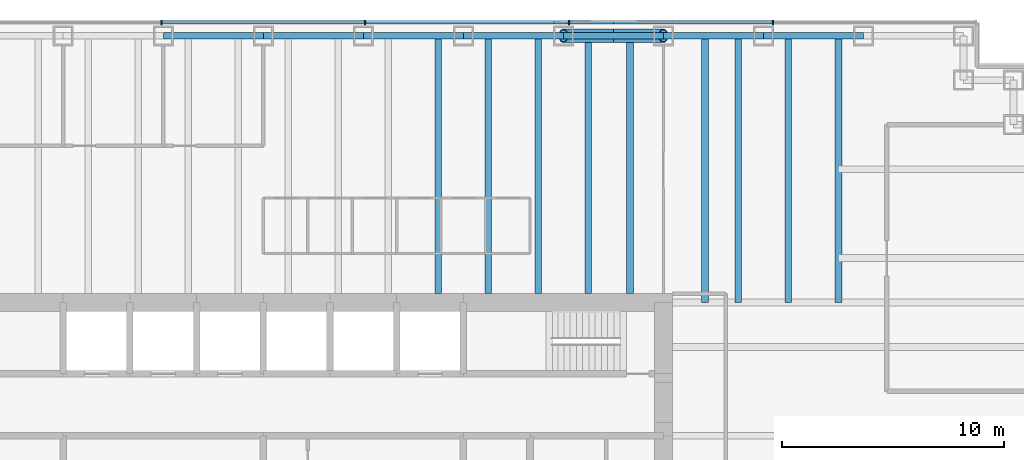
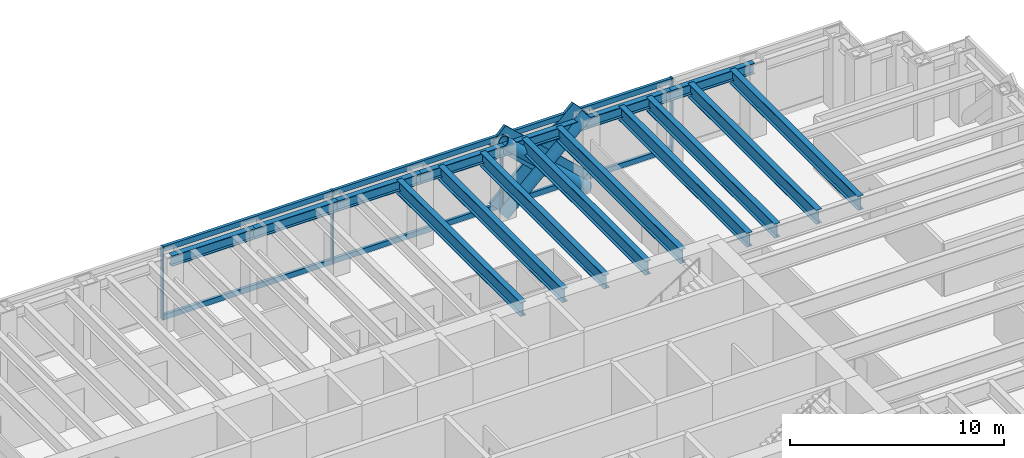
# One storey, part 6 of 15: 16 beams, 14 members, 1 element without a shape of its own.
"""IFC4 building model written with IfcOpenShell, lengths in metres."""

from ifc_helpers import new_model, si_unit, direction, frame, origin, origin_2d, place, context, subcontext, project, spatial, rectangle, hollow_circle, i_section, extrude, material, material_profile, profile_set, type_object, element, aggregate, save


model = new_model("IFC4")

# Units and contexts
model_context = context("Model", 3, precision=1e-05, world=origin(), true_north=direction((0.0, 1.0)))
body_context = subcontext(model_context, "Body", "Model", "MODEL_VIEW")
ifc_project = project(units=[si_unit("LENGTHUNIT", "METRE"), si_unit("AREAUNIT", "SQUARE_METRE"), si_unit("VOLUMEUNIT", "CUBIC_METRE"), si_unit("PLANEANGLEUNIT", "RADIAN"), si_unit("MASSUNIT", "GRAM", prefix="KILO")], contexts=[model_context])

# Site, building, storey
site_placement = place(None, origin())
site = spatial("IfcSite", under=ifc_project, at=site_placement, CompositionType="ELEMENT")
building_placement = place(site_placement, origin())
building = spatial("IfcBuilding", under=site, at=building_placement, Name="Rheinbord Bourse Tower", CompositionType="ELEMENT")
storey_placement = place(building_placement, frame((0.0, 0.0, 257.199951171875)))
storey = spatial("IfcBuildingStorey", under=building, at=storey_placement, Name="L58", CompositionType="ELEMENT", Elevation=257.199951171875)

# Curtain wall, members
ifc_material_1 = material(Name="Dark glass and black aluminium", Category="aluminium")
curtain_wall_type = type_object("IfcCurtainWallType", Name="CW2 DARK GLASS CURTAIN WALL", PredefinedType="USERDEFINED", material=ifc_material_1)
curtain_wall_placement = place(storey_placement, origin())
curtain_wall = element("IfcCurtainWall", 1, at=curtain_wall_placement, inside=storey, type_object=curtain_wall_type, Name="Curtain wall CW2 N L58", ObjectType="UNITISED CURTAIN WALL", PredefinedType="USERDEFINED")
ifc_material_2 = material(Name="Black anodised aluminium", Category="aluminium")
ifc_material_profile_1 = material_profile(ifc_material_2, rectangle(XDim=0.159912109375, YDim=1.2099609375, at=origin_2d()), Name="CW2 DIAGONAL MULLION 1210x160")
ifc_profile_set_1 = profile_set([ifc_material_profile_1], Name="Black anodised aluminium")
member_type_1 = type_object("IfcMemberType", Name="CW2 BLACK DIAGONAL MULLION", PredefinedType="USERDEFINED", material=ifc_profile_set_1)
member_1_placement = place(storey_placement, frame((54.0, 44.60009765625, 0.0), z_axis=(-0.73105922506, 0.0, 0.682314010889), x_axis=(0.0, -1.0, 0.0)))
member_1 = element("IfcMember", 2, at=member_1_placement, type_object=member_type_1, Name="CW2 diagonal mullion b", ObjectType="DIAGONAL MULLION", PredefinedType="USERDEFINED", context=body_context, shape_type="SweptSolid", body=[
    extrude(rectangle(XDim=0.159912109375, YDim=1.2099609375, at=origin_2d()), origin(), (0.0, 0.0, 1.0), 6.155517578125),
])
member_2_placement = place(storey_placement, frame((49.5, 44.60009765625, 0.0), z_axis=(0.73105922506, 0.0, 0.682314010889), x_axis=(0.0, 1.0, 0.0)))
member_2 = element("IfcMember", 3, at=member_2_placement, type_object=member_type_1, Name="CW2 diagonal mullion c", ObjectType="DIAGONAL MULLION", PredefinedType="USERDEFINED", context=body_context, shape_type="SweptSolid", body=[
    extrude(rectangle(XDim=0.159912109375, YDim=1.2099609375, at=origin_2d()), origin(), (0.0, 0.0, 1.0), 6.155517578125),
])
ifc_material_3 = material(Name="Black anodised aluminium", Category="aluminium")
ifc_material_profile_2 = material_profile(ifc_material_3, rectangle(XDim=0.219970703125, YDim=0.070068359375, at=origin_2d()), Name="CW2 MULLION 70x220")
ifc_profile_set_2 = profile_set([ifc_material_profile_2], Name="Black anodised aluminium")
member_type_2 = type_object("IfcMemberType", Name="CW2 BLACK MULLION", PredefinedType="MULLION", material=ifc_profile_set_2)
member_3_placement = place(storey_placement, frame((58.928466796875, 44.60009765625, 0.0), z_axis=(0.0, 0.0, 1.0), x_axis=(0.0, -1.0, 0.0)))
member_3 = element("IfcMember", 4, at=member_3_placement, type_object=member_type_2, Name="CW2 mullion 2", PredefinedType="MULLION", context=body_context, shape_type="SweptSolid", body=[
    extrude(rectangle(XDim=0.219970703125, YDim=0.070068359375, at=origin_2d()), origin(), (0.0, 0.0, 1.0), 4.199951171875),
])
member_4_placement = place(storey_placement, frame((49.757080078125, 44.60009765625, 0.0), z_axis=(0.0, 0.0, 1.0), x_axis=(0.0, -1.0, 0.0)))
member_4 = element("IfcMember", 5, at=member_4_placement, type_object=member_type_2, Name="CW2 mullion 3", PredefinedType="MULLION", context=body_context, shape_type="SweptSolid", body=[
    extrude(rectangle(XDim=0.219970703125, YDim=0.070068359375, at=origin_2d()), origin(), (0.0, 0.0, 1.0), 4.199951171875),
])
member_5_placement = place(storey_placement, frame((40.585693359375, 44.60009765625, 0.0), z_axis=(0.0, 0.0, 1.0), x_axis=(0.0, -1.0, 0.0)))
member_5 = element("IfcMember", 6, at=member_5_placement, type_object=member_type_2, Name="CW2 mullion 4", PredefinedType="MULLION", context=body_context, shape_type="SweptSolid", body=[
    extrude(rectangle(XDim=0.219970703125, YDim=0.070068359375, at=origin_2d()), origin(), (0.0, 0.0, 1.0), 4.199951171875),
])
member_6_placement = place(storey_placement, frame((31.414306640625, 44.60009765625, 0.0), z_axis=(0.0, 0.0, 1.0), x_axis=(0.0, -1.0, 0.0)))
member_6 = element("IfcMember", 7, at=member_6_placement, type_object=member_type_2, Name="CW2 mullion 5", PredefinedType="MULLION", context=body_context, shape_type="SweptSolid", body=[
    extrude(rectangle(XDim=0.219970703125, YDim=0.070068359375, at=origin_2d()), origin(), (0.0, 0.0, 1.0), 4.199951171875),
])
ifc_material_4 = material(Name="Black anodised aluminium", Category="aluminium")
ifc_material_profile_3 = material_profile(ifc_material_4, rectangle(XDim=0.159912109375, YDim=0.300048828125, at=origin_2d()), Name="CW2 TRANSOM 300x160")
ifc_profile_set_3 = profile_set([ifc_material_profile_3], Name="Black anodised aluminium")
member_type_3 = type_object("IfcMemberType", Name="CW2 BLACK TRANSOM", PredefinedType="USERDEFINED", material=ifc_profile_set_3)
member_7_placement = place(storey_placement, frame((58.8935546875, 44.60009765625, 0.150146484375), z_axis=(-1.0, 0.0, 0.0), x_axis=(0.0, -1.0, 0.0)))
member_7 = element("IfcMember", 8, at=member_7_placement, type_object=member_type_3, Name="CW2 transom 2.1", ObjectType="TRANSOM", PredefinedType="USERDEFINED", context=body_context, shape_type="SweptSolid", body=[
    extrude(rectangle(XDim=0.159912109375, YDim=0.300048828125, at=origin_2d()), origin(), (0.0, 0.0, 1.0), 9.101318359375),
])
member_8_placement = place(storey_placement, frame((58.8935546875, 44.60009765625, 4.050048828125), z_axis=(-1.0, 0.0, 0.0), x_axis=(0.0, -1.0, 0.0)))
member_8 = element("IfcMember", 9, at=member_8_placement, type_object=member_type_3, Name="CW2 transom 2.2", ObjectType="TRANSOM", PredefinedType="USERDEFINED", context=body_context, shape_type="SweptSolid", body=[
    extrude(rectangle(XDim=0.159912109375, YDim=0.300048828125, at=origin_2d()), origin(), (0.0, 0.0, 1.0), 9.101318359375),
])
member_9_placement = place(storey_placement, frame((49.72216796875, 44.60009765625, 0.150146484375), z_axis=(-1.0, 0.0, 0.0), x_axis=(0.0, -1.0, 0.0)))
member_9 = element("IfcMember", 10, at=member_9_placement, type_object=member_type_3, Name="CW2 transom 3.1", ObjectType="TRANSOM", PredefinedType="USERDEFINED", context=body_context, shape_type="SweptSolid", body=[
    extrude(rectangle(XDim=0.159912109375, YDim=0.300048828125, at=origin_2d()), origin(), (0.0, 0.0, 1.0), 9.1015625),
])
member_10_placement = place(storey_placement, frame((49.72216796875, 44.60009765625, 4.050048828125), z_axis=(-1.0, 0.0, 0.0), x_axis=(0.0, -1.0, 0.0)))
member_10 = element("IfcMember", 11, at=member_10_placement, type_object=member_type_3, Name="CW2 transom 3.2", ObjectType="TRANSOM", PredefinedType="USERDEFINED", context=body_context, shape_type="SweptSolid", body=[
    extrude(rectangle(XDim=0.159912109375, YDim=0.300048828125, at=origin_2d()), origin(), (0.0, 0.0, 1.0), 9.1015625),
])
member_11_placement = place(storey_placement, frame((40.55078125, 44.60009765625, 0.150146484375), z_axis=(-1.0, 0.0, 0.0), x_axis=(0.0, -1.0, 0.0)))
member_11 = element("IfcMember", 12, at=member_11_placement, type_object=member_type_3, Name="CW2 transom 4.1", ObjectType="TRANSOM", PredefinedType="USERDEFINED", context=body_context, shape_type="SweptSolid", body=[
    extrude(rectangle(XDim=0.159912109375, YDim=0.300048828125, at=origin_2d()), origin(), (0.0, 0.0, 1.0), 9.1015625),
])
member_12_placement = place(storey_placement, frame((40.55078125, 44.60009765625, 4.050048828125), z_axis=(-1.0, 0.0, 0.0), x_axis=(0.0, -1.0, 0.0)))
member_12 = element("IfcMember", 13, at=member_12_placement, type_object=member_type_3, Name="CW2 transom 4.2", ObjectType="TRANSOM", PredefinedType="USERDEFINED", context=body_context, shape_type="SweptSolid", body=[
    extrude(rectangle(XDim=0.159912109375, YDim=0.300048828125, at=origin_2d()), origin(), (0.0, 0.0, 1.0), 9.1015625),
])
aggregate(curtain_wall, [member_3, member_4, member_5, member_6, member_7, member_8, member_9, member_10, member_11, member_12, member_1, member_2])

# Beams
ifc_material_5 = material(Name="Steel S460", Category="steel")
ifc_material_profile_4 = material_profile(ifc_material_5, i_section(OverallWidth=0.300048828125, OverallDepth=0.800048828125, WebThickness=0.017578125, FlangeThickness=0.032958984375, at=origin_2d()), Name="HEB 800")
ifc_profile_set_4 = profile_set([ifc_material_profile_4], Name="Steel S460")
beam_type_1 = type_object("IfcBeamType", Name="FLOOR BEAM HEB 800", PredefinedType="BEAM", material=ifc_profile_set_4)
for number, where, z_axis, x_axis, name in (
    (14, (43.875, 44.0, 3.64013671875), (0.0, -1.0, 0.0), (1.0, 0.0, 0.0), "Floor beam N-40.5b L59"),
    (15, (46.125, 44.0, 3.64013671875), (0.0, -1.0, 0.0), (1.0, 0.0, 0.0), "Floor beam N-45a L59"),
    (16, (48.375, 44.0, 3.64013671875), (0.0, -1.0, 0.0), (1.0, 0.0, 0.0), "Floor beam N-45b L59"),
    (17, (50.625, 44.0, 3.64013671875), (0.0, -1.0, 0.0), (1.0, 0.0, 0.0), "Floor beam N-49.5a L59"),
    (18, (52.5, 44.0, 3.64013671875), (0.0, -1.0, 0.0), (1.0, 0.0, 0.0), "Floor beam N-49.5b L59"),
):
    element("IfcBeam", number, at=place(storey_placement, frame(where, z_axis=z_axis, x_axis=x_axis)), inside=storey, type_object=beam_type_1, Name=name, PredefinedType="BEAM", context=body_context, shape_type="SweptSolid", body=[
        extrude(i_section(OverallWidth=0.300048828125, OverallDepth=0.800048828125, WebThickness=0.017578125, FlangeThickness=0.032958984375, at=origin_2d()), origin(), (0.0, 0.0, 1.0), 11.60009765625),
    ])
for number, where, z_axis, x_axis, name in (
    (19, (55.875, 44.0, 3.64013671875), (0.0, -1.0, 0.0), (1.0, 0.0, 0.0), "Floor beam N-54a L59"),
    (20, (57.375, 44.0, 3.64013671875), (0.0, -1.0, 0.0), (1.0, 0.0, 0.0), "Floor beam N-54b L59"),
    (21, (59.625, 44.0, 3.64013671875), (0.0, -1.0, 0.0), (1.0, 0.0, 0.0), "Floor beam N-58.5a L59"),
    (22, (61.875, 44.0, 3.64013671875), (0.0, -1.0, 0.0), (1.0, 0.0, 0.0), "Floor beam N-58.5b L59"),
):
    element("IfcBeam", number, at=place(storey_placement, frame(where, z_axis=z_axis, x_axis=x_axis)), inside=storey, type_object=beam_type_1, Name=name, PredefinedType="BEAM", context=body_context, shape_type="SweptSolid", body=[
        extrude(i_section(OverallWidth=0.300048828125, OverallDepth=0.800048828125, WebThickness=0.017578125, FlangeThickness=0.032958984375, at=origin_2d()), origin(), (0.0, 0.0, 1.0), 12.0),
    ])

# Members
ifc_material_6 = material(Name="Steel S460", Category="steel")
ifc_material_profile_5 = material_profile(ifc_material_6, hollow_circle(Radius=0.304931640625, WallThickness=0.0400390625, at=origin_2d()), Name="CHS 610x40")
ifc_profile_set_5 = profile_set([ifc_material_profile_5], Name="Steel S460")
member_type_4 = type_object("IfcMemberType", Name="MEGABRACE CHS 610x40", PredefinedType="BRACE", material=ifc_profile_set_5)
for number, where, z_axis, x_axis, name in (
    (23, (54.0, 44.0, 0.0), (-0.73105922506, 0.0, 0.682314010889), (0.0, -1.0, 0.0), "Megabrace N face line b L58"),
    (24, (49.5, 44.0, 0.0), (0.73105922506, 0.0, 0.682314010889), (0.0, 1.0, 0.0), "Megabrace N face line c L58"),
):
    element("IfcMember", number, at=place(storey_placement, frame(where, z_axis=z_axis, x_axis=x_axis)), inside=storey, type_object=member_type_4, Name=name, PredefinedType="BRACE", context=body_context, shape_type="SweptSolid", body=[
        extrude(hollow_circle(Radius=0.304931640625, WallThickness=0.0400390625, at=origin_2d()), origin(), (0.0, 0.0, 1.0), 6.155517578125),
    ])

# Beams
ifc_material_7 = material(Name="Steel S460", Category="steel")
ifc_material_profile_6 = material_profile(ifc_material_7, i_section(OverallWidth=0.300048828125, OverallDepth=0.60009765625, WebThickness=0.015380859375, FlangeThickness=0.030029296875, at=origin_2d()), Name="HEB 600")
ifc_profile_set_6 = profile_set([ifc_material_profile_6], Name="Steel S460")
beam_type_2 = type_object("IfcBeamType", Name="SPANDREL HEB 600", PredefinedType="SPANDREL", material=ifc_profile_set_6)
for number, where, z_axis, x_axis, name in (
    (25, (63.0, 44.0, 3.739990234375), (-1.0, 0.0, 0.0), (0.0, -1.0, 0.0), "Spandrel N-63-N-58.5 under L59"),
    (26, (58.5, 44.0, 3.739990234375), (-1.0, 0.0, 0.0), (0.0, -1.0, 0.0), "Spandrel N-58.5-N-54 under L59"),
    (27, (54.0, 44.0, 3.739990234375), (-1.0, 0.0, 0.0), (0.0, -1.0, 0.0), "Spandrel N-54-N-49.5 under L59"),
    (28, (49.5, 44.0, 3.739990234375), (-1.0, 0.0, 0.0), (0.0, -1.0, 0.0), "Spandrel N-49.5-N-45 under L59"),
    (29, (45.0, 44.0, 3.739990234375), (-1.0, 0.0, 0.0), (0.0, -1.0, 0.0), "Spandrel N-45-N-40.5 under L59"),
    (30, (40.5, 44.0, 3.739990234375), (-1.0, 0.0, 0.0), (0.0, -1.0, 0.0), "Spandrel N-40.5-N-36 under L59"),
    (31, (36.0, 44.0, 3.739990234375), (-1.0, 0.0, 0.0), (0.0, -1.0, 0.0), "Spandrel N-36-N-31.5 under L59"),
):
    element("IfcBeam", number, at=place(storey_placement, frame(where, z_axis=z_axis, x_axis=x_axis)), inside=storey, type_object=beam_type_2, Name=name, PredefinedType="SPANDREL", context=body_context, shape_type="SweptSolid", body=[
        extrude(i_section(OverallWidth=0.300048828125, OverallDepth=0.60009765625, WebThickness=0.015380859375, FlangeThickness=0.030029296875, at=origin_2d()), origin(), (0.0, 0.0, 1.0), 4.5),
    ])

save(model, "model.ifc")
